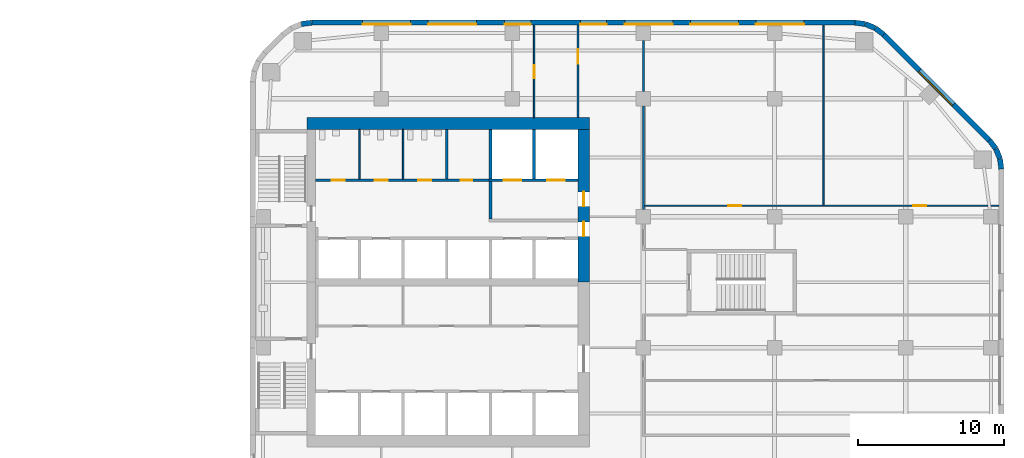
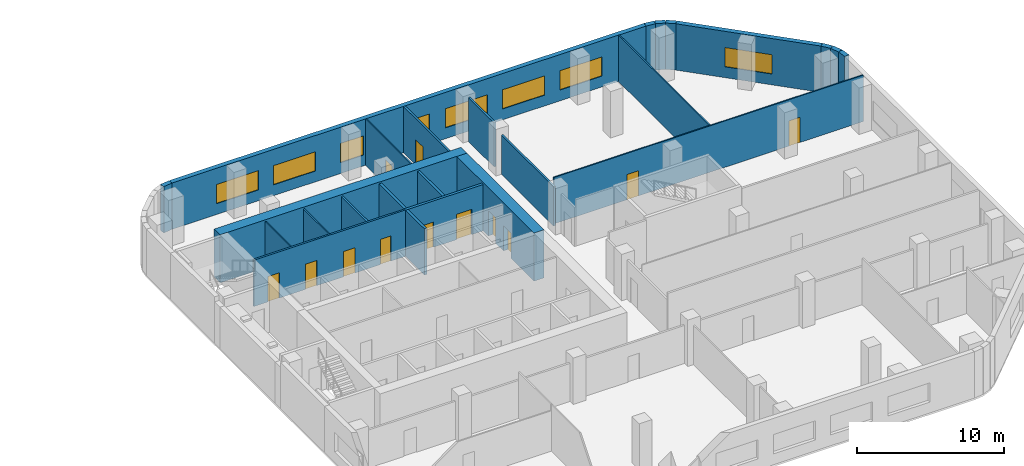
# One storey, part 10 of 14: 25 walls, 12 doors, 8 windows, 20 openings.
"""IFC4 building model written with IfcOpenShell, lengths in metres."""

from ifc_helpers import new_model, si_unit, direction, frame, frame_2d, origin, place, context, subcontext, project, spatial, rectangle, extrude, material, layer, layer_set, type_object, element, fill, save


model = new_model("IFC4")

# Units and contexts
model_context = context("Model", 3, precision=1e-05, world=origin(), true_north=direction((0.0, 1.0)))
body_context = subcontext(model_context, "Body", "Model", "MODEL_VIEW")
ifc_project = project(units=[si_unit("LENGTHUNIT", "METRE"), si_unit("AREAUNIT", "SQUARE_METRE"), si_unit("VOLUMEUNIT", "CUBIC_METRE"), si_unit("PLANEANGLEUNIT", "RADIAN"), si_unit("MASSUNIT", "GRAM", prefix="KILO")], contexts=[model_context])

# Site, building, storey
site_placement = place(None, origin())
site = spatial("IfcSite", under=ifc_project, at=site_placement, CompositionType="ELEMENT")
building_placement = place(site_placement, origin())
building = spatial("IfcBuilding", under=site, at=building_placement, Name="Cinnabar Reach Civic Tower", CompositionType="ELEMENT")
storey_placement = place(building_placement, frame((0.0, 0.0, 136.0)))
storey = spatial("IfcBuildingStorey", under=building, at=storey_placement, Name="L32", CompositionType="ELEMENT", Elevation=136.0)

# Walls
ifc_material_1 = material(Name="Facing brick with insulated backing", Category="masonry")
ifc_layer_1 = layer(ifc_material_1, 0.36)
ifc_layer_set_1 = layer_set([ifc_layer_1], Name="Brick corner wall")
wall_type_1 = type_object("IfcWallType", Name="Brick corner wall", PredefinedType="STANDARD", material=ifc_layer_set_1)
for number, where, z_axis, x_axis, name in (
    (1, (51.567, 39.2686, 0.0), (0.0, 0.0, 1.0), (-0.13055608231, 0.99144092581, 0.0), "Brick corner wall"),
    (2, (51.4681, 39.9973, 0.0), (0.0, 0.0, 1.0), (-0.382702709855, 0.923871547278, 0.0), "Brick corner wall"),
):
    element("IfcWall", number, at=place(storey_placement, frame(where, z_axis=z_axis, x_axis=x_axis)), inside=storey, type_object=wall_type_1, Name=name, PredefinedType="STANDARD", context=body_context, shape_type="SweptSolid", body=[
        extrude(rectangle(XDim=0.7131, YDim=0.36, at=frame_2d((0.3565, 0.0))), origin(), (0.0, 0.0, 1.0), 3.85),
    ])
for number, where, z_axis, x_axis, name in (
    (3, (51.184, 40.6755, 0.0), (0.0, 0.0, 1.0), (-0.608802368033, 0.793321924995, 0.0), "Brick corner wall"),
    (4, (43.4913, 48.4998, 0.0), (0.0, 0.0, 1.0), (-0.793321924995, 0.608802368033, 0.0), "Brick corner wall"),
):
    element("IfcWall", number, at=place(storey_placement, frame(where, z_axis=z_axis, x_axis=x_axis)), inside=storey, type_object=wall_type_1, Name=name, PredefinedType="STANDARD", context=body_context, shape_type="SweptSolid", body=[
        extrude(rectangle(XDim=0.7132, YDim=0.36, at=frame_2d((0.3566, 0.0))), origin(), (0.0, 0.0, 1.0), 3.85),
    ])
for number, where, z_axis, x_axis, name in (
    (5, (42.9061, 48.9452, 0.0), (0.0, 0.0, 1.0), (-0.923871547278, 0.382702709855, 0.0), "Brick corner wall"),
    (6, (42.2256, 49.2239, 0.0), (0.0, 0.0, 1.0), (-0.99144092581, 0.13055608231, 0.0), "Brick corner wall"),
    (7, (4.2314, 49.317, 0.0), (0.0, 0.0, 1.0), (-0.99144092581, -0.13055608231, 0.0), "Brick corner wall"),
):
    element("IfcWall", number, at=place(storey_placement, frame(where, z_axis=z_axis, x_axis=x_axis)), inside=storey, type_object=wall_type_1, Name=name, PredefinedType="STANDARD", context=body_context, shape_type="SweptSolid", body=[
        extrude(rectangle(XDim=0.7131, YDim=0.36, at=frame_2d((0.3565, 0.0))), origin(), (0.0, 0.0, 1.0), 3.85),
    ])

# Wall, opening, window
ifc_layer_2 = layer(ifc_material_1, 0.36)
ifc_layer_set_2 = layer_set([ifc_layer_2], Name="Brick pier and spandrel wall")
wall_type_2 = type_object("IfcWallType", Name="Brick pier and spandrel wall", PredefinedType="STANDARD", material=ifc_layer_set_2)
wall_1_placement = place(storey_placement, frame((50.744, 41.2514, 0.0), z_axis=(0.0, 0.0, 1.0), x_axis=(-0.707106781187, 0.707106781187, 0.0)))
wall_1 = element("IfcWall", 8, at=wall_1_placement, inside=storey, type_object=wall_type_2, Name="Brick facade wall", PredefinedType="STANDARD", context=body_context, shape_type="SweptSolid", body=[
    extrude(rectangle(XDim=10.2426, YDim=0.36, at=frame_2d((5.1213, 0.0))), origin(), (0.0, 0.0, 1.0), 3.85),
])
opening_1_placement = place(wall_1_placement, frame((3.4713, 0.0, 0.9)))
opening_1 = element("IfcOpeningElement", 9, at=opening_1_placement, cuts=wall_1, Name="Opening W1689", PredefinedType="OPENING", context=body_context, shape_type="SweptSolid", body=[
    extrude(rectangle(XDim=3.3, YDim=1.6, at=frame_2d((1.65, 0.8))), frame((0.0, 0.19, 0.0), z_axis=(0.0, -1.0, 0.0), x_axis=(1.0, 0.0, 0.0)), (0.0, 0.0, 1.0), 0.38),
])
ifc_material_2 = material(Name="Clear double glazing in aluminium frame", Category="aluminium")
window_type_1 = type_object("IfcWindowType", Name="Deep-set window A", PartitioningType="SINGLE_PANEL", PredefinedType="WINDOW", material=ifc_material_2)
window_1_placement = place(opening_1_placement, origin())
window_1 = element("IfcWindow", 10, at=window_1_placement, inside=storey, type_object=window_type_1, Name="Window northeast face", OverallHeight=1.6, OverallWidth=3.3, PartitioningType="SINGLE_PANEL", PredefinedType="WINDOW", context=body_context, shape_type="SweptSolid", body=[
    extrude(rectangle(XDim=3.3, YDim=1.6, at=frame_2d((1.65, 0.8))), frame((0.0, 0.13, 0.0), z_axis=(0.0, -1.0, 0.0), x_axis=(1.0, 0.0, 0.0)), (0.0, 0.0, 1.0), 0.06),
])
fill(opening_1, window_1)

# Wall, openings, windows
wall_2_placement = place(storey_placement, frame((41.5074, 49.32, 0.0), z_axis=(0.0, 0.0, 1.0), x_axis=(-1.0, 0.0, 0.0)))
wall_2 = element("IfcWall", 11, at=wall_2_placement, inside=storey, type_object=wall_type_2, Name="Brick facade wall", PredefinedType="STANDARD", context=body_context, shape_type="SweptSolid", body=[
    extrude(rectangle(XDim=37.2648, YDim=0.36, at=frame_2d((18.6324, 0.0))), origin(), (0.0, 0.0, 1.0), 3.85),
])
opening_2_placement = place(wall_2_placement, frame((3.4824, 0.0, 0.9)))
opening_2 = element("IfcOpeningElement", 12, at=opening_2_placement, cuts=wall_2, Name="Opening W1690", PredefinedType="OPENING", context=body_context, shape_type="SweptSolid", body=[
    extrude(rectangle(XDim=3.3, YDim=1.6, at=frame_2d((1.65, 0.8))), frame((0.0, 0.19, 0.0), z_axis=(0.0, -1.0, 0.0), x_axis=(1.0, 0.0, 0.0)), (0.0, 0.0, 1.0), 0.38),
])
opening_3_placement = place(wall_2_placement, frame((7.9824, 0.0, 0.9)))
opening_3 = element("IfcOpeningElement", 13, at=opening_3_placement, cuts=wall_2, Name="Opening W1691", PredefinedType="OPENING", context=body_context, shape_type="SweptSolid", body=[
    extrude(rectangle(XDim=3.3, YDim=1.6, at=frame_2d((1.65, 0.8))), frame((0.0, 0.19, 0.0), z_axis=(0.0, -1.0, 0.0), x_axis=(1.0, 0.0, 0.0)), (0.0, 0.0, 1.0), 0.38),
])
opening_4_placement = place(wall_2_placement, frame((12.4824, 0.0, 0.9)))
opening_4 = element("IfcOpeningElement", 14, at=opening_4_placement, cuts=wall_2, Name="Opening W1692", PredefinedType="OPENING", context=body_context, shape_type="SweptSolid", body=[
    extrude(rectangle(XDim=3.3, YDim=1.6, at=frame_2d((1.65, 0.8))), frame((0.0, 0.19, 0.0), z_axis=(0.0, -1.0, 0.0), x_axis=(1.0, 0.0, 0.0)), (0.0, 0.0, 1.0), 0.38),
])
opening_5_placement = place(wall_2_placement, frame((17.0324, 0.0, 0.9)))
opening_5 = element("IfcOpeningElement", 15, at=opening_5_placement, cuts=wall_2, Name="Opening W1693", PredefinedType="OPENING", context=body_context, shape_type="SweptSolid", body=[
    extrude(rectangle(XDim=1.8, YDim=1.6, at=frame_2d((0.9, 0.8))), frame((0.0, 0.19, 0.0), z_axis=(0.0, -1.0, 0.0), x_axis=(1.0, 0.0, 0.0)), (0.0, 0.0, 1.0), 0.38),
])
opening_6_placement = place(wall_2_placement, frame((22.2324, 0.0, 0.9)))
opening_6 = element("IfcOpeningElement", 16, at=opening_6_placement, cuts=wall_2, Name="Opening W1694", PredefinedType="OPENING", context=body_context, shape_type="SweptSolid", body=[
    extrude(rectangle(XDim=1.8, YDim=1.6, at=frame_2d((0.9, 0.8))), frame((0.0, 0.19, 0.0), z_axis=(0.0, -1.0, 0.0), x_axis=(1.0, 0.0, 0.0)), (0.0, 0.0, 1.0), 0.38),
])
opening_7_placement = place(wall_2_placement, frame((25.9824, 0.0, 0.9)))
opening_7 = element("IfcOpeningElement", 17, at=opening_7_placement, cuts=wall_2, Name="Opening W1695", PredefinedType="OPENING", context=body_context, shape_type="SweptSolid", body=[
    extrude(rectangle(XDim=3.3, YDim=1.6, at=frame_2d((1.65, 0.8))), frame((0.0, 0.19, 0.0), z_axis=(0.0, -1.0, 0.0), x_axis=(1.0, 0.0, 0.0)), (0.0, 0.0, 1.0), 0.38),
])
opening_8_placement = place(wall_2_placement, frame((30.4824, 0.0, 0.9)))
opening_8 = element("IfcOpeningElement", 18, at=opening_8_placement, cuts=wall_2, Name="Opening W1696", PredefinedType="OPENING", context=body_context, shape_type="SweptSolid", body=[
    extrude(rectangle(XDim=3.3, YDim=1.6, at=frame_2d((1.65, 0.8))), frame((0.0, 0.19, 0.0), z_axis=(0.0, -1.0, 0.0), x_axis=(1.0, 0.0, 0.0)), (0.0, 0.0, 1.0), 0.38),
])
window_2_placement = place(opening_2_placement, origin())
window_2 = element("IfcWindow", 19, at=window_2_placement, inside=storey, type_object=window_type_1, Name="Window north face", OverallHeight=1.6, OverallWidth=3.3, PartitioningType="SINGLE_PANEL", PredefinedType="WINDOW", context=body_context, shape_type="SweptSolid", body=[
    extrude(rectangle(XDim=3.3, YDim=1.6, at=frame_2d((1.65, 0.8))), frame((0.0, 0.13, 0.0), z_axis=(0.0, -1.0, 0.0), x_axis=(1.0, 0.0, 0.0)), (0.0, 0.0, 1.0), 0.06),
])
fill(opening_2, window_2)
window_3_placement = place(opening_3_placement, origin())
window_3 = element("IfcWindow", 20, at=window_3_placement, inside=storey, type_object=window_type_1, Name="Window north face", OverallHeight=1.6, OverallWidth=3.3, PartitioningType="SINGLE_PANEL", PredefinedType="WINDOW", context=body_context, shape_type="SweptSolid", body=[
    extrude(rectangle(XDim=3.3, YDim=1.6, at=frame_2d((1.65, 0.8))), frame((0.0, 0.13, 0.0), z_axis=(0.0, -1.0, 0.0), x_axis=(1.0, 0.0, 0.0)), (0.0, 0.0, 1.0), 0.06),
])
fill(opening_3, window_3)
window_4_placement = place(opening_4_placement, origin())
window_4 = element("IfcWindow", 21, at=window_4_placement, inside=storey, type_object=window_type_1, Name="Window north face", OverallHeight=1.6, OverallWidth=3.3, PartitioningType="SINGLE_PANEL", PredefinedType="WINDOW", context=body_context, shape_type="SweptSolid", body=[
    extrude(rectangle(XDim=3.3, YDim=1.6, at=frame_2d((1.65, 0.8))), frame((0.0, 0.13, 0.0), z_axis=(0.0, -1.0, 0.0), x_axis=(1.0, 0.0, 0.0)), (0.0, 0.0, 1.0), 0.06),
])
fill(opening_4, window_4)
window_5_placement = place(opening_7_placement, origin())
window_5 = element("IfcWindow", 22, at=window_5_placement, inside=storey, type_object=window_type_1, Name="Window north face", OverallHeight=1.6, OverallWidth=3.3, PartitioningType="SINGLE_PANEL", PredefinedType="WINDOW", context=body_context, shape_type="SweptSolid", body=[
    extrude(rectangle(XDim=3.3, YDim=1.6, at=frame_2d((1.65, 0.8))), frame((0.0, 0.13, 0.0), z_axis=(0.0, -1.0, 0.0), x_axis=(1.0, 0.0, 0.0)), (0.0, 0.0, 1.0), 0.06),
])
fill(opening_7, window_5)
window_6_placement = place(opening_8_placement, origin())
window_6 = element("IfcWindow", 23, at=window_6_placement, inside=storey, type_object=window_type_1, Name="Window north face", OverallHeight=1.6, OverallWidth=3.3, PartitioningType="SINGLE_PANEL", PredefinedType="WINDOW", context=body_context, shape_type="SweptSolid", body=[
    extrude(rectangle(XDim=3.3, YDim=1.6, at=frame_2d((1.65, 0.8))), frame((0.0, 0.13, 0.0), z_axis=(0.0, -1.0, 0.0), x_axis=(1.0, 0.0, 0.0)), (0.0, 0.0, 1.0), 0.06),
])
fill(opening_8, window_6)
window_type_2 = type_object("IfcWindowType", Name="Deep-set window D", PartitioningType="SINGLE_PANEL", PredefinedType="WINDOW", material=ifc_material_2)
window_7_placement = place(opening_5_placement, origin())
window_7 = element("IfcWindow", 24, at=window_7_placement, inside=storey, type_object=window_type_2, Name="Window north face", OverallHeight=1.6, OverallWidth=1.8, PartitioningType="SINGLE_PANEL", PredefinedType="WINDOW", context=body_context, shape_type="SweptSolid", body=[
    extrude(rectangle(XDim=1.8, YDim=1.6, at=frame_2d((0.9, 0.8))), frame((0.0, 0.13, 0.0), z_axis=(0.0, -1.0, 0.0), x_axis=(1.0, 0.0, 0.0)), (0.0, 0.0, 1.0), 0.06),
])
fill(opening_5, window_7)
window_8_placement = place(opening_6_placement, origin())
window_8 = element("IfcWindow", 25, at=window_8_placement, inside=storey, type_object=window_type_2, Name="Window north face", OverallHeight=1.6, OverallWidth=1.8, PartitioningType="SINGLE_PANEL", PredefinedType="WINDOW", context=body_context, shape_type="SweptSolid", body=[
    extrude(rectangle(XDim=1.8, YDim=1.6, at=frame_2d((0.9, 0.8))), frame((0.0, 0.13, 0.0), z_axis=(0.0, -1.0, 0.0), x_axis=(1.0, 0.0, 0.0)), (0.0, 0.0, 1.0), 0.06),
])
fill(opening_6, window_8)

# Wall
ifc_material_3 = material(Name="Concrete C70", Category="concrete")
ifc_layer_3 = layer(ifc_material_3, 0.8)
ifc_layer_set_3 = layer_set([ifc_layer_3], Name="Core wall 800 EI 180")
wall_type_3 = type_object("IfcWallType", Name="Core wall 800 EI 180", PredefinedType="SOLIDWALL", material=ifc_layer_set_3)
wall_3_placement = place(storey_placement, frame((23.3, 42.4, 0.0), z_axis=(0.0, 0.0, 1.0), x_axis=(-1.0, 0.0, 0.0)))
element("IfcWall", 26, at=wall_3_placement, inside=storey, type_object=wall_type_3, Name="Core wall T1 L32 N", PredefinedType="SOLIDWALL", context=body_context, shape_type="SweptSolid", body=[
    extrude(rectangle(XDim=19.4, YDim=0.8, at=frame_2d((9.7, 0.0))), origin(), (0.0, 0.0, 1.0), 4.0),
])

# Wall, openings, doors
wall_4_placement = place(storey_placement, frame((22.9, 31.5, 0.0), z_axis=(0.0, 0.0, 1.0), x_axis=(0.0, 1.0, 0.0)))
wall_4 = element("IfcWall", 27, at=wall_4_placement, inside=storey, type_object=wall_type_3, Name="Core wall T1 L32 E2", PredefinedType="SOLIDWALL", context=body_context, shape_type="SweptSolid", body=[
    extrude(rectangle(XDim=10.5, YDim=0.8, at=frame_2d((5.25, 0.0))), origin(), (0.0, 0.0, 1.0), 4.0),
])
opening_9_placement = place(wall_4_placement, frame((3.15, 0.0, 0.0)))
opening_9 = element("IfcOpeningElement", 28, at=opening_9_placement, cuts=wall_4, Name="Opening D4307", PredefinedType="OPENING", context=body_context, shape_type="SweptSolid", body=[
    extrude(rectangle(XDim=1.0, YDim=2.1, at=frame_2d((0.5, 1.05))), frame((0.0, 0.41, 0.0), z_axis=(0.0, -1.0, 0.0), x_axis=(1.0, 0.0, 0.0)), (0.0, 0.0, 1.0), 0.82),
])
opening_10_placement = place(wall_4_placement, frame((5.2, 0.0, 0.0)))
opening_10 = element("IfcOpeningElement", 29, at=opening_10_placement, cuts=wall_4, Name="Opening D4308", PredefinedType="OPENING", context=body_context, shape_type="SweptSolid", body=[
    extrude(rectangle(XDim=1.0, YDim=2.1, at=frame_2d((0.5, 1.05))), frame((0.0, 0.41, 0.0), z_axis=(0.0, -1.0, 0.0), x_axis=(1.0, 0.0, 0.0)), (0.0, 0.0, 1.0), 0.82),
])
ifc_material_4 = material(Name="Timber door leaf in steel frame", Category="steel")
door_type_1 = type_object("IfcDoorType", Name="Firefighting lobby door 1000 x 2100 T1", OperationType="SINGLE_SWING_LEFT", PredefinedType="DOOR", material=ifc_material_4)
door_1_placement = place(opening_10_placement, origin())
door_1 = element("IfcDoor", 30, at=door_1_placement, inside=storey, type_object=door_type_1, Name="Door D4308", OperationType="SINGLE_SWING_RIGHT", OverallHeight=2.1, OverallWidth=1.0, PredefinedType="DOOR", context=body_context, shape_type="SweptSolid", body=[
    extrude(rectangle(XDim=1.0, YDim=2.1, at=frame_2d((0.5, 1.05))), frame((0.0, 0.025, 0.0), z_axis=(0.0, -1.0, 0.0), x_axis=(1.0, 0.0, 0.0)), (0.0, 0.0, 1.0), 0.05),
])
fill(opening_10, door_1)
door_type_2 = type_object("IfcDoorType", Name="Single swing door 1000 x 2100 T1", OperationType="SINGLE_SWING_LEFT", PredefinedType="DOOR", material=ifc_material_4)
door_2_placement = place(opening_9_placement, origin())
door_2 = element("IfcDoor", 31, at=door_2_placement, inside=storey, type_object=door_type_2, Name="Door D4307", OperationType="SINGLE_SWING_RIGHT", OverallHeight=2.1, OverallWidth=1.0, PredefinedType="DOOR", context=body_context, shape_type="SweptSolid", body=[
    extrude(rectangle(XDim=1.0, YDim=2.1, at=frame_2d((0.5, 1.05))), frame((0.0, 0.025, 0.0), z_axis=(0.0, -1.0, 0.0), x_axis=(1.0, 0.0, 0.0)), (0.0, 0.0, 1.0), 0.05),
])
fill(opening_9, door_2)

# Walls
ifc_material_5 = material(Name="Gypsum board on steel studs, double layer", Category="steel")
ifc_layer_4 = layer(ifc_material_5, 0.15)
ifc_layer_set_4 = layer_set([ifc_layer_4], Name="Corridor wall 150 T1")
wall_type_4 = type_object("IfcWallType", Name="Corridor wall 150 T1", PredefinedType="PARTITIONING", material=ifc_layer_set_4)
wall_5_placement = place(storey_placement, frame((27.0, 36.5, 0.0), z_axis=(0.0, 0.0, 1.0), x_axis=(0.0, 1.0, 0.0)))
element("IfcWall", 32, at=wall_5_placement, inside=storey, type_object=wall_type_4, Name="Corridor wall 28", PredefinedType="PARTITIONING", context=body_context, shape_type="SweptSolid", body=[
    extrude(rectangle(XDim=7.1, YDim=0.15, at=frame_2d((3.55, 0.0))), origin(), (0.0, 0.0, 1.0), 3.256),
])
wall_6_placement = place(storey_placement, frame((27.0, 44.6, 0.0), z_axis=(0.0, 0.0, 1.0), x_axis=(0.0, 1.0, 0.0)))
element("IfcWall", 33, at=wall_6_placement, inside=storey, type_object=wall_type_4, Name="Corridor wall 29", PredefinedType="PARTITIONING", context=body_context, shape_type="SweptSolid", body=[
    extrude(rectangle(XDim=3.5, YDim=0.15, at=frame_2d((1.75, 0.0))), origin(), (0.0, 0.0, 1.0), 3.652),
])

# Wall, openings, doors
wall_7_placement = place(storey_placement, frame((4.5, 38.5, 0.0), z_axis=(0.0, 0.0, 1.0), x_axis=(1.0, 0.0, 0.0)))
wall_7 = element("IfcWall", 34, at=wall_7_placement, inside=storey, type_object=wall_type_4, Name="Corridor wall 30", PredefinedType="PARTITIONING", context=body_context, shape_type="SweptSolid", body=[
    extrude(rectangle(XDim=11.9, YDim=0.15, at=frame_2d((5.95, 0.0))), origin(), (0.0, 0.0, 1.0), 3.85),
])
opening_11_placement = place(wall_7_placement, frame((1.1, 0.0, 0.0)))
opening_11 = element("IfcOpeningElement", 35, at=opening_11_placement, cuts=wall_7, Name="Opening D4313", PredefinedType="OPENING", context=body_context, shape_type="SweptSolid", body=[
    extrude(rectangle(XDim=0.9, YDim=2.1, at=frame_2d((0.45, 1.05))), frame((0.0, 0.085, 0.0), z_axis=(0.0, -1.0, 0.0), x_axis=(1.0, 0.0, 0.0)), (0.0, 0.0, 1.0), 0.17),
])
opening_12_placement = place(wall_7_placement, frame((4.05, 0.0, 0.0)))
opening_12 = element("IfcOpeningElement", 36, at=opening_12_placement, cuts=wall_7, Name="Opening D4314", PredefinedType="OPENING", context=body_context, shape_type="SweptSolid", body=[
    extrude(rectangle(XDim=0.9, YDim=2.1, at=frame_2d((0.45, 1.05))), frame((0.0, 0.085, 0.0), z_axis=(0.0, -1.0, 0.0), x_axis=(1.0, 0.0, 0.0)), (0.0, 0.0, 1.0), 0.17),
])
opening_13_placement = place(wall_7_placement, frame((7.05, 0.0, 0.0)))
opening_13 = element("IfcOpeningElement", 37, at=opening_13_placement, cuts=wall_7, Name="Opening D4315", PredefinedType="OPENING", context=body_context, shape_type="SweptSolid", body=[
    extrude(rectangle(XDim=0.9, YDim=2.1, at=frame_2d((0.45, 1.05))), frame((0.0, 0.085, 0.0), z_axis=(0.0, -1.0, 0.0), x_axis=(1.0, 0.0, 0.0)), (0.0, 0.0, 1.0), 0.17),
])
opening_14_placement = place(wall_7_placement, frame((9.95, 0.0, 0.0)))
opening_14 = element("IfcOpeningElement", 38, at=opening_14_placement, cuts=wall_7, Name="Opening D4316", PredefinedType="OPENING", context=body_context, shape_type="SweptSolid", body=[
    extrude(rectangle(XDim=0.8, YDim=2.1, at=frame_2d((0.4, 1.05))), frame((0.0, 0.085, 0.0), z_axis=(0.0, -1.0, 0.0), x_axis=(1.0, 0.0, 0.0)), (0.0, 0.0, 1.0), 0.17),
])
door_type_3 = type_object("IfcDoorType", Name="Riser access door 800 x 2100 T1", OperationType="SINGLE_SWING_LEFT", PredefinedType="DOOR", material=ifc_material_4)
door_3_placement = place(opening_14_placement, origin())
door_3 = element("IfcDoor", 39, at=door_3_placement, inside=storey, type_object=door_type_3, Name="Door D4316", OperationType="SINGLE_SWING_LEFT", OverallHeight=2.1, OverallWidth=0.8, PredefinedType="DOOR", context=body_context, shape_type="SweptSolid", body=[
    extrude(rectangle(XDim=0.8, YDim=2.1, at=frame_2d((0.4, 1.05))), frame((0.0, 0.025, 0.0), z_axis=(0.0, -1.0, 0.0), x_axis=(1.0, 0.0, 0.0)), (0.0, 0.0, 1.0), 0.05),
])
fill(opening_14, door_3)
door_type_4 = type_object("IfcDoorType", Name="Single swing door 900 x 2100 corridor T1", OperationType="SINGLE_SWING_LEFT", PredefinedType="DOOR", material=ifc_material_4)
door_4_placement = place(opening_11_placement, origin())
door_4 = element("IfcDoor", 40, at=door_4_placement, inside=storey, type_object=door_type_4, Name="Door D4313", OperationType="SINGLE_SWING_RIGHT", OverallHeight=2.1, OverallWidth=0.9, PredefinedType="DOOR", context=body_context, shape_type="SweptSolid", body=[
    extrude(rectangle(XDim=0.9, YDim=2.1, at=frame_2d((0.45, 1.05))), frame((0.0, 0.025, 0.0), z_axis=(0.0, -1.0, 0.0), x_axis=(1.0, 0.0, 0.0)), (0.0, 0.0, 1.0), 0.05),
])
fill(opening_11, door_4)
door_5_placement = place(opening_12_placement, origin())
door_5 = element("IfcDoor", 41, at=door_5_placement, inside=storey, type_object=door_type_4, Name="Door D4314", OperationType="SINGLE_SWING_LEFT", OverallHeight=2.1, OverallWidth=0.9, PredefinedType="DOOR", context=body_context, shape_type="SweptSolid", body=[
    extrude(rectangle(XDim=0.9, YDim=2.1, at=frame_2d((0.45, 1.05))), frame((0.0, 0.025, 0.0), z_axis=(0.0, -1.0, 0.0), x_axis=(1.0, 0.0, 0.0)), (0.0, 0.0, 1.0), 0.05),
])
fill(opening_12, door_5)
door_6_placement = place(opening_13_placement, origin())
door_6 = element("IfcDoor", 42, at=door_6_placement, inside=storey, type_object=door_type_4, Name="Door D4315", OperationType="SINGLE_SWING_RIGHT", OverallHeight=2.1, OverallWidth=0.9, PredefinedType="DOOR", context=body_context, shape_type="SweptSolid", body=[
    extrude(rectangle(XDim=0.9, YDim=2.1, at=frame_2d((0.45, 1.05))), frame((0.0, 0.025, 0.0), z_axis=(0.0, -1.0, 0.0), x_axis=(1.0, 0.0, 0.0)), (0.0, 0.0, 1.0), 0.05),
])
fill(opening_13, door_6)

# Wall, opening, door
wall_8_placement = place(storey_placement, frame((22.5, 42.8, 0.0), z_axis=(0.0, 0.0, 1.0), x_axis=(0.0, 1.0, 0.0)))
wall_8 = element("IfcWall", 43, at=wall_8_placement, inside=storey, type_object=wall_type_4, Name="Corridor wall 33", PredefinedType="PARTITIONING", context=body_context, shape_type="SweptSolid", body=[
    extrude(rectangle(XDim=6.34, YDim=0.15, at=frame_2d((3.17, 0.0))), origin(), (0.0, 0.0, 1.0), 3.85),
])
opening_15_placement = place(wall_8_placement, frame((3.7, 0.0, 0.0)))
opening_15 = element("IfcOpeningElement", 44, at=opening_15_placement, cuts=wall_8, Name="Opening D4329", PredefinedType="OPENING", context=body_context, shape_type="SweptSolid", body=[
    extrude(rectangle(XDim=1.0, YDim=2.1, at=frame_2d((0.5, 1.05))), frame((0.0, 0.085, 0.0), z_axis=(0.0, -1.0, 0.0), x_axis=(1.0, 0.0, 0.0)), (0.0, 0.0, 1.0), 0.17),
])
door_type_5 = type_object("IfcDoorType", Name="Tenancy entrance door 1000 x 2100 T1", OperationType="SINGLE_SWING_LEFT", PredefinedType="DOOR", material=ifc_material_4)
door_7_placement = place(opening_15_placement, origin())
door_7 = element("IfcDoor", 45, at=door_7_placement, inside=storey, type_object=door_type_5, Name="Door D4329", OperationType="SINGLE_SWING_RIGHT", OverallHeight=2.1, OverallWidth=1.0, PredefinedType="DOOR", context=body_context, shape_type="SweptSolid", body=[
    extrude(rectangle(XDim=1.0, YDim=2.1, at=frame_2d((0.5, 1.05))), frame((0.0, 0.025, 0.0), z_axis=(0.0, -1.0, 0.0), x_axis=(1.0, 0.0, 0.0)), (0.0, 0.0, 1.0), 0.05),
])
fill(opening_15, door_7)

# Walls
ifc_material_6 = material(Name="Blockwork", Category="masonry")
ifc_layer_5 = layer(ifc_material_6, 0.2)
ifc_layer_set_5 = layer_set([ifc_layer_5], Name="Lift shaft wall 200 T1")
wall_type_5 = type_object("IfcWallType", Name="Lift shaft wall 200 T1", PredefinedType="PARTITIONING", material=ifc_layer_set_5)
for number, where, z_axis, x_axis, name in (
    (46, (16.5, 38.6, 0.0), (0.0, 0.0, 1.0), (0.0, 1.0, 0.0), "Lift shaft wall 6"),
    (47, (19.5, 38.6, 0.0), (0.0, 0.0, 1.0), (0.0, 1.0, 0.0), "Lift shaft wall 7"),
):
    element("IfcWall", number, at=place(storey_placement, frame(where, z_axis=z_axis, x_axis=x_axis)), inside=storey, type_object=wall_type_5, Name=name, PredefinedType="PARTITIONING", context=body_context, shape_type="SweptSolid", body=[
        extrude(rectangle(XDim=3.4, YDim=0.2, at=frame_2d((1.7, 0.0))), origin(), (0.0, 0.0, 1.0), 3.85),
    ])

# Wall, openings, doors
ifc_material_7 = material(Name="Gypsum board on steel studs", Category="steel")
ifc_layer_6 = layer(ifc_material_7, 0.1)
ifc_layer_set_6 = layer_set([ifc_layer_6], Name="Partition wall 100 T1")
wall_type_6 = type_object("IfcWallType", Name="Partition wall 100 T1", PredefinedType="PARTITIONING", material=ifc_layer_set_6)
wall_9_placement = place(storey_placement, frame((27.075, 36.75, 0.0), z_axis=(0.0, 0.0, 1.0), x_axis=(1.0, 0.0, 0.0)))
wall_9 = element("IfcWall", 48, at=wall_9_placement, inside=storey, type_object=wall_type_6, Name="Partition wall 42", PredefinedType="PARTITIONING", context=body_context, shape_type="SweptSolid", body=[
    extrude(rectangle(XDim=24.315, YDim=0.1, at=frame_2d((12.1575, 0.0))), origin(), (0.0, 0.0, 1.0), 3.85),
])
opening_16_placement = place(wall_9_placement, frame((5.75, 0.0, 0.0)))
opening_16 = element("IfcOpeningElement", 49, at=opening_16_placement, cuts=wall_9, Name="Opening D4318", PredefinedType="OPENING", context=body_context, shape_type="SweptSolid", body=[
    extrude(rectangle(XDim=0.9, YDim=2.1, at=frame_2d((0.45, 1.05))), frame((0.0, 0.06, 0.0), z_axis=(0.0, -1.0, 0.0), x_axis=(1.0, 0.0, 0.0)), (0.0, 0.0, 1.0), 0.12),
])
opening_17_placement = place(wall_9_placement, frame((18.45, 0.0, 0.0)))
opening_17 = element("IfcOpeningElement", 50, at=opening_17_placement, cuts=wall_9, Name="Opening D4319", PredefinedType="OPENING", context=body_context, shape_type="SweptSolid", body=[
    extrude(rectangle(XDim=0.9, YDim=2.1, at=frame_2d((0.45, 1.05))), frame((0.0, 0.06, 0.0), z_axis=(0.0, -1.0, 0.0), x_axis=(1.0, 0.0, 0.0)), (0.0, 0.0, 1.0), 0.12),
])
door_type_6 = type_object("IfcDoorType", Name="Single swing door 900 x 2100 T1", OperationType="SINGLE_SWING_LEFT", PredefinedType="DOOR", material=ifc_material_4)
door_8_placement = place(opening_16_placement, frame((0.9, 0.0, 0.0), z_axis=(0.0, 0.0, 1.0), x_axis=(-1.0, 0.0, 0.0)))
door_8 = element("IfcDoor", 51, at=door_8_placement, inside=storey, type_object=door_type_6, Name="Door D4318", OperationType="SINGLE_SWING_LEFT", OverallHeight=2.1, OverallWidth=0.9, PredefinedType="DOOR", context=body_context, shape_type="SweptSolid", body=[
    extrude(rectangle(XDim=0.9, YDim=2.1, at=frame_2d((0.45, 1.05))), frame((0.0, 0.025, 0.0), z_axis=(0.0, -1.0, 0.0), x_axis=(1.0, 0.0, 0.0)), (0.0, 0.0, 1.0), 0.05),
])
fill(opening_16, door_8)
door_9_placement = place(opening_17_placement, origin())
door_9 = element("IfcDoor", 52, at=door_9_placement, inside=storey, type_object=door_type_6, Name="Door D4319", OperationType="SINGLE_SWING_LEFT", OverallHeight=2.1, OverallWidth=0.9, PredefinedType="DOOR", context=body_context, shape_type="SweptSolid", body=[
    extrude(rectangle(XDim=0.9, YDim=2.1, at=frame_2d((0.45, 1.05))), frame((0.0, 0.025, 0.0), z_axis=(0.0, -1.0, 0.0), x_axis=(1.0, 0.0, 0.0)), (0.0, 0.0, 1.0), 0.05),
])
fill(opening_17, door_9)

# Wall
wall_10_placement = place(storey_placement, frame((39.375, 36.8, 0.0), z_axis=(0.0, 0.0, 1.0), x_axis=(0.0, 1.0, 0.0)))
element("IfcWall", 53, at=wall_10_placement, inside=storey, type_object=wall_type_6, Name="Partition wall 49", PredefinedType="PARTITIONING", context=body_context, shape_type="SweptSolid", body=[
    extrude(rectangle(XDim=12.34, YDim=0.1, at=frame_2d((6.17, 0.0))), origin(), (0.0, 0.0, 1.0), 3.85),
])

# Wall, opening, door
wall_11_placement = place(storey_placement, frame((19.5, 42.8, 0.0), z_axis=(0.0, 0.0, 1.0), x_axis=(0.0, 1.0, 0.0)))
wall_11 = element("IfcWall", 54, at=wall_11_placement, inside=storey, type_object=wall_type_6, Name="Partition wall 51", PredefinedType="PARTITIONING", context=body_context, shape_type="SweptSolid", body=[
    extrude(rectangle(XDim=6.34, YDim=0.1, at=frame_2d((3.17, 0.0))), origin(), (0.0, 0.0, 1.0), 3.85),
])
opening_18_placement = place(wall_11_placement, frame((2.7, 0.0, 0.0)))
opening_18 = element("IfcOpeningElement", 55, at=opening_18_placement, cuts=wall_11, Name="Opening D4330", PredefinedType="OPENING", context=body_context, shape_type="SweptSolid", body=[
    extrude(rectangle(XDim=0.9, YDim=2.1, at=frame_2d((0.45, 1.05))), frame((0.0, 0.06, 0.0), z_axis=(0.0, -1.0, 0.0), x_axis=(1.0, 0.0, 0.0)), (0.0, 0.0, 1.0), 0.12),
])
door_10_placement = place(opening_18_placement, frame((0.9, 0.0, 0.0), z_axis=(0.0, 0.0, 1.0), x_axis=(-1.0, 0.0, 0.0)))
door_10 = element("IfcDoor", 56, at=door_10_placement, inside=storey, type_object=door_type_6, Name="Door D4330", OperationType="SINGLE_SWING_RIGHT", OverallHeight=2.1, OverallWidth=0.9, PredefinedType="DOOR", context=body_context, shape_type="SweptSolid", body=[
    extrude(rectangle(XDim=0.9, YDim=2.1, at=frame_2d((0.45, 1.05))), frame((0.0, 0.025, 0.0), z_axis=(0.0, -1.0, 0.0), x_axis=(1.0, 0.0, 0.0)), (0.0, 0.0, 1.0), 0.05),
])
fill(opening_18, door_10)

# Walls
for number, where, z_axis, x_axis, name in (
    (57, (7.5, 38.575, 0.0), (0.0, 0.0, 1.0), (0.0, 1.0, 0.0), "Partition wall 53"),
    (58, (10.5, 38.575, 0.0), (0.0, 0.0, 1.0), (0.0, 1.0, 0.0), "Partition wall 54"),
):
    element("IfcWall", number, at=place(storey_placement, frame(where, z_axis=z_axis, x_axis=x_axis)), inside=storey, type_object=wall_type_6, Name=name, PredefinedType="PARTITIONING", context=body_context, shape_type="SweptSolid", body=[
        extrude(rectangle(XDim=3.425, YDim=0.1, at=frame_2d((1.7125, 0.0))), origin(), (0.0, 0.0, 1.0), 3.85),
    ])

# Wall, openings, doors
ifc_material_8 = material(Name="Concrete C40", Category="concrete")
ifc_layer_7 = layer(ifc_material_8, 0.2)
ifc_layer_set_7 = layer_set([ifc_layer_7], Name="Refuge compartment wall 200 T1")
wall_type_7 = type_object("IfcWallType", Name="Refuge compartment wall 200 T1", PredefinedType="PARTITIONING", material=ifc_layer_set_7)
wall_12_placement = place(storey_placement, frame((16.4, 38.5, 0.0), z_axis=(0.0, 0.0, 1.0), x_axis=(1.0, 0.0, 0.0)))
wall_12 = element("IfcWall", 59, at=wall_12_placement, inside=storey, type_object=wall_type_7, Name="Refuge compartment wall 2", PredefinedType="PARTITIONING", context=body_context, shape_type="SweptSolid", body=[
    extrude(rectangle(XDim=6.1, YDim=0.2, at=frame_2d((3.05, 0.0))), origin(), (0.0, 0.0, 1.0), 3.85),
])
opening_19_placement = place(wall_12_placement, frame((1.0, 0.0, 0.0)))
opening_19 = element("IfcOpeningElement", 60, at=opening_19_placement, cuts=wall_12, Name="Opening D4304", PredefinedType="OPENING", context=body_context, shape_type="SweptSolid", body=[
    extrude(rectangle(XDim=1.2, YDim=2.1, at=frame_2d((0.6, 1.05))), frame((0.0, 0.11, 0.0), z_axis=(0.0, -1.0, 0.0), x_axis=(1.0, 0.0, 0.0)), (0.0, 0.0, 1.0), 0.22),
])
opening_20_placement = place(wall_12_placement, frame((4.0, 0.0, 0.0)))
opening_20 = element("IfcOpeningElement", 61, at=opening_20_placement, cuts=wall_12, Name="Opening D4305", PredefinedType="OPENING", context=body_context, shape_type="SweptSolid", body=[
    extrude(rectangle(XDim=1.2, YDim=2.1, at=frame_2d((0.6, 1.05))), frame((0.0, 0.11, 0.0), z_axis=(0.0, -1.0, 0.0), x_axis=(1.0, 0.0, 0.0)), (0.0, 0.0, 1.0), 0.22),
])
ifc_material_9 = material(Name="Stainless steel sliding door", Category="steel")
door_type_7 = type_object("IfcDoorType", Name="Firefighting lift landing door 1200 x 2100 T1", OperationType="SLIDING_TO_LEFT", PredefinedType="DOOR", material=ifc_material_9)
door_11_placement = place(opening_19_placement, origin())
door_11 = element("IfcDoor", 62, at=door_11_placement, inside=storey, type_object=door_type_7, Name="Lift landing door FF1 L32", OperationType="SLIDING_TO_LEFT", OverallHeight=2.1, OverallWidth=1.2, PredefinedType="DOOR", context=body_context, shape_type="SweptSolid", body=[
    extrude(rectangle(XDim=1.2, YDim=2.1, at=frame_2d((0.6, 1.05))), frame((0.0, 0.025, 0.0), z_axis=(0.0, -1.0, 0.0), x_axis=(1.0, 0.0, 0.0)), (0.0, 0.0, 1.0), 0.05),
])
fill(opening_19, door_11)
door_12_placement = place(opening_20_placement, origin())
door_12 = element("IfcDoor", 63, at=door_12_placement, inside=storey, type_object=door_type_7, Name="Lift landing door FF2 L32", OperationType="SLIDING_TO_LEFT", OverallHeight=2.1, OverallWidth=1.2, PredefinedType="DOOR", context=body_context, shape_type="SweptSolid", body=[
    extrude(rectangle(XDim=1.2, YDim=2.1, at=frame_2d((0.6, 1.05))), frame((0.0, 0.025, 0.0), z_axis=(0.0, -1.0, 0.0), x_axis=(1.0, 0.0, 0.0)), (0.0, 0.0, 1.0), 0.05),
])
fill(opening_20, door_12)

# Walls
wall_13_placement = place(storey_placement, frame((16.5, 35.85, 0.0), z_axis=(0.0, 0.0, 1.0), x_axis=(0.0, 1.0, 0.0)))
element("IfcWall", 64, at=wall_13_placement, inside=storey, type_object=wall_type_7, Name="Refuge compartment wall 3", PredefinedType="PARTITIONING", context=body_context, shape_type="SweptSolid", body=[
    extrude(rectangle(XDim=2.55, YDim=0.2, at=frame_2d((1.275, 0.0))), origin(), (0.0, 0.0, 1.0), 3.85),
])
ifc_layer_8 = layer(ifc_material_6, 0.15)
ifc_layer_set_8 = layer_set([ifc_layer_8], Name="Riser wall 150 T1")
wall_type_8 = type_object("IfcWallType", Name="Riser wall 150 T1", PredefinedType="PARTITIONING", material=ifc_layer_set_8)
wall_14_placement = place(storey_placement, frame((13.5, 38.575, 0.0), z_axis=(0.0, 0.0, 1.0), x_axis=(0.0, 1.0, 0.0)))
element("IfcWall", 65, at=wall_14_placement, inside=storey, type_object=wall_type_8, Name="Riser wall 39", PredefinedType="PARTITIONING", context=body_context, shape_type="SweptSolid", body=[
    extrude(rectangle(XDim=3.425, YDim=0.15, at=frame_2d((1.7125, 0.0))), origin(), (0.0, 0.0, 1.0), 3.85),
])

save(model, "model.ifc")
